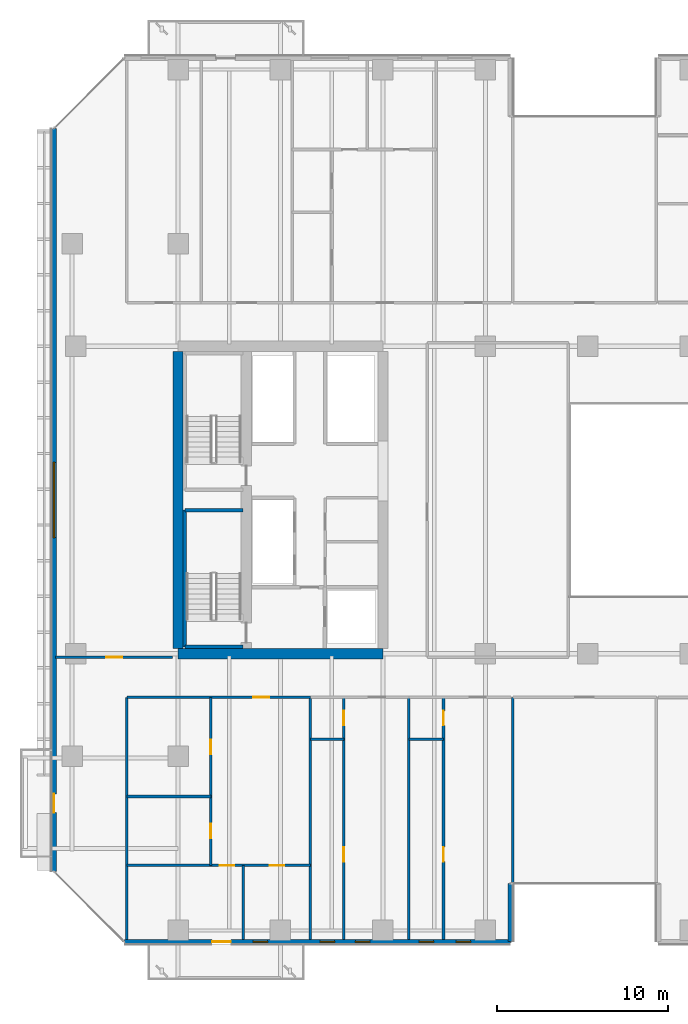
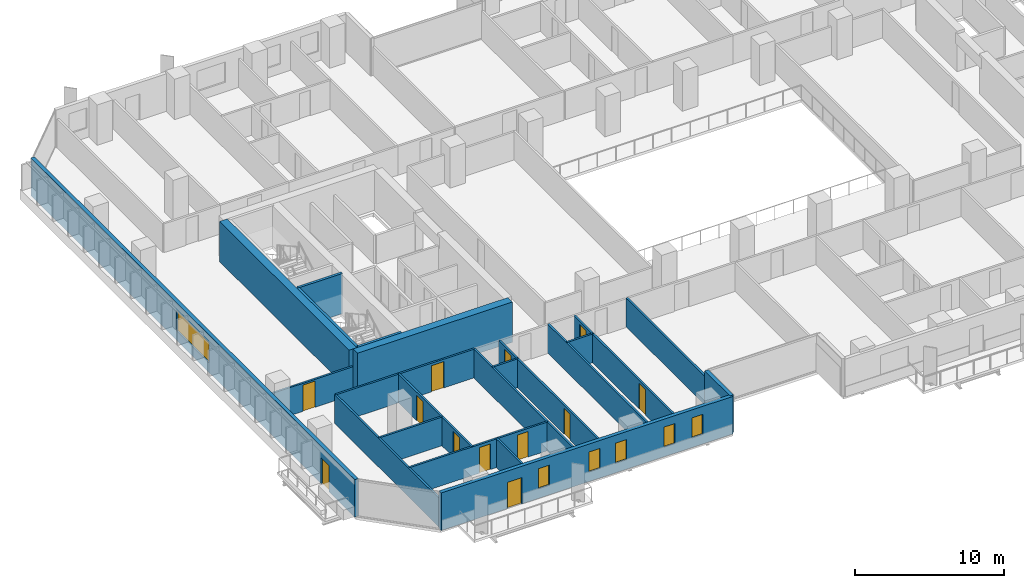
# One storey, part 17 of 33: 22 walls, 12 doors, 6 windows, 18 openings.
"""IFC4 building model written with IfcOpenShell, lengths in metres."""

import ifcopenshell
import ifcopenshell.guid

model = None  # the IFC model being written
_history = None  # IfcOwnerHistory: only IFC2X3 demands one
_inside = {}  # id of a spatial element -> (the spatial element, [elements in it])
_under = {}  # id of a project, library or spatial element -> (it, [spatial elements below it])
_declared = {}  # id of a project -> (the project, [libraries it declares])
_typed = {}  # id of a type object -> (the type object, [elements of that type])
_made_of = {}  # id of a material, layer set ... -> (it, [elements and type objects made of it])


def new_model(schema):
    """Start an empty IFC model of exactly this schema.

    Asked for "IFC4X3", IfcOpenShell would pick the latest addendum, in which some entities
    have other attributes; the version numbers below select the first issue.
    IFC2X3 requires an IfcOwnerHistory on every rooted entity: one is made here for all.
    """
    global model, _history
    if schema == "IFC4X3":
        model = ifcopenshell.file(schema_version=(4, 3, 0, 0))
    else:
        model = ifcopenshell.file(schema=schema)
    _inside.clear()
    _under.clear()
    _declared.clear()
    _typed.clear()
    _made_of.clear()
    _history = None
    if model.schema == "IFC2X3":
        org = make("IfcOrganization", Name="unknown")
        user = make(
            "IfcPersonAndOrganization",
            ThePerson=make("IfcPerson", FamilyName="unknown"),
            TheOrganization=org,
        )
        app = make(
            "IfcApplication",
            ApplicationDeveloper=org,
            Version="unknown",
            ApplicationFullName="unknown",
            ApplicationIdentifier="unknown",
        )
        _history = make(
            "IfcOwnerHistory",
            OwningUser=user,
            OwningApplication=app,
            ChangeAction="ADDED",
            CreationDate=0,
        )
    return model


def make(cls, **values):
    """One entity of the class cls with the attributes given. An attribute that is None is left unset."""
    return model.create_entity(
        cls, **{name: value for name, value in values.items() if value is not None}
    )


def rooted(cls, **values):
    """An entity with a GlobalId (a new one), such as an element, a storey or a relation."""
    return make(cls, GlobalId=ifcopenshell.guid.new(), OwnerHistory=_history, **values)


def si_unit(unit_type, name, prefix=None):
    """IfcSIUnit, for example si_unit("LENGTHUNIT", "METRE", prefix="MILLI")."""
    return make("IfcSIUnit", UnitType=unit_type, Prefix=prefix, Name=name)


def assignment(units):
    """IfcUnitAssignment: the units of a project."""
    return None if units is None else make("IfcUnitAssignment", Units=units)


def point(xyz):
    """IfcCartesianPoint."""
    return None if xyz is None else make("IfcCartesianPoint", Coordinates=xyz)


def direction(xyz):
    """IfcDirection."""
    return None if xyz is None else make("IfcDirection", DirectionRatios=xyz)


def frame(location, z_axis=None, x_axis=None):
    """IfcAxis2Placement3D, a coordinate frame: its origin and axes. An axis left out is left unset."""
    return make(
        "IfcAxis2Placement3D",
        Location=point(location),
        Axis=direction(z_axis),
        RefDirection=direction(x_axis),
    )


def frame_2d(location, x_axis=None):
    """IfcAxis2Placement2D, a coordinate frame in the plane: its origin and x axis."""
    return make(
        "IfcAxis2Placement2D", Location=point(location), RefDirection=direction(x_axis)
    )


def origin():
    """The frame at (0, 0, 0) with its axes left unset."""
    return frame((0.0, 0.0, 0.0))


def place(relative_to, where):
    """IfcLocalPlacement: puts the frame where relative to a parent placement (None: the world)."""
    return make(
        "IfcLocalPlacement", PlacementRelTo=relative_to, RelativePlacement=where
    )


def context(
    kind, dimensions, precision=None, world=None, true_north=None, identifier=None
):
    """IfcGeometricRepresentationContext, for example the 3D "Model" context."""
    return make(
        "IfcGeometricRepresentationContext",
        ContextIdentifier=identifier,
        ContextType=kind,
        CoordinateSpaceDimension=dimensions,
        Precision=precision,
        WorldCoordinateSystem=world,
        TrueNorth=true_north,
    )


def subcontext(parent, identifier, kind, view, scale=None):
    """IfcGeometricRepresentationSubContext, for example "Body" below "Model"."""
    return make(
        "IfcGeometricRepresentationSubContext",
        ContextIdentifier=identifier,
        ContextType=kind,
        ParentContext=parent,
        TargetScale=scale,
        TargetView=view,
    )


def project(units=None, contexts=None):
    """IfcProject with its units and contexts."""
    return rooted(
        "IfcProject",
        Name="project",
        RepresentationContexts=contexts,
        UnitsInContext=assignment(units),
    )


def spatial(cls, under=None, at=None, **own):
    """A site, building, storey or space (cls), placed at a placement, below another one or the project."""
    s = rooted(cls, ObjectPlacement=at, **own)
    if under is not None:
        _under.setdefault(under.id(), (under, []))[1].append(s)
    return s


def profile(cls, at=None, kind="AREA", **sizes):
    """A parametric profile (cls). Its sizes go by their IFC names, for example OverallWidth=200.0."""
    return make(cls, ProfileType=kind, Position=at, **sizes)


def rectangle(**sizes):
    """IfcRectangleProfileDef."""
    return profile("IfcRectangleProfileDef", **sizes)


def extrude(swept, where, along, depth):
    """IfcExtrudedAreaSolid: the profile swept, set in the frame where, extruded along a direction by depth."""
    return make(
        "IfcExtrudedAreaSolid",
        SweptArea=swept,
        Position=where,
        ExtrudedDirection=direction(along),
        Depth=depth,
    )


def shape(context_of_items, identifier, shape_type, items):
    """IfcShapeRepresentation: the items that make up one representation, for example the "Body"."""
    return make(
        "IfcShapeRepresentation",
        ContextOfItems=context_of_items,
        RepresentationIdentifier=identifier,
        RepresentationType=shape_type,
        Items=items,
    )


def material(Name=None, Category=None):
    """IfcMaterial."""
    return make("IfcMaterial", Name=Name, Category=Category)


def layer(
    of_material, thickness, ventilated=None, Name=None, Category=None, Priority=None
):
    """IfcMaterialLayer: one layer of a wall or slab, of a material (None: an air gap)."""
    return make(
        "IfcMaterialLayer",
        Material=of_material,
        LayerThickness=thickness,
        IsVentilated=ventilated,
        Name=Name,
        Category=Category,
        Priority=Priority,
    )


def layer_set(layers, Name=None):
    """IfcMaterialLayerSet."""
    return make("IfcMaterialLayerSet", MaterialLayers=layers, LayerSetName=Name)


def made_of(thing, what):
    """Note that an element or type object is made of a material, layer set ...; save() writes the relation."""
    if what is not None:
        _made_of.setdefault(what.id(), (what, []))[1].append(thing)
    return thing


def type_object(cls, material=None, **own):
    """A type object (cls), such as IfcWallType, which elements share."""
    return made_of(rooted(cls, **own), material)


def element(
    cls,
    number,
    at=None,
    inside=None,
    cuts=None,
    type_object=None,
    material=None,
    context=None,
    identifier="Body",
    shape_type=None,
    held_by="IfcProductDefinitionShape",
    body=None,
    shapes=None,
    **own,
):
    """One element of the class cls, such as IfcWall. Its Tag is "e" and its number.

    at: its placement. inside: the storey or other place that contains it. cuts: it is an
    opening in that element (IfcRelVoidsElement). A single representation is given by context,
    identifier, shape_type and body (its items); several are given by shapes. held_by: the class
    of the entity that holds the representations. save() writes the other relations.
    """
    e = rooted(cls, Tag="e%d" % number, ObjectPlacement=at, **own)
    if body is not None:
        shapes = [shape(context, identifier, shape_type, body)]
    if shapes is not None:
        e.Representation = make(held_by, Representations=shapes)
    if inside is not None:
        _inside.setdefault(inside.id(), (inside, []))[1].append(e)
    if cuts is not None:
        rooted(
            "IfcRelVoidsElement", RelatingBuildingElement=cuts, RelatedOpeningElement=e
        )
    if type_object is not None:
        _typed.setdefault(type_object.id(), (type_object, []))[1].append(e)
    return made_of(e, material)


def fill(opening, filler):
    """IfcRelFillsElement: the door or window that sits in an opening."""
    return rooted(
        "IfcRelFillsElement",
        RelatingOpeningElement=opening,
        RelatedBuildingElement=filler,
    )


def aggregate(whole, parts):
    """IfcRelAggregates: a whole, such as a stair, and the parts it consists of."""
    return rooted("IfcRelAggregates", RelatingObject=whole, RelatedObjects=parts)


def save(model, path):
    """Write the relations noted so far, then the file.

    IfcRelAggregates (storeys below a building ...), IfcRelContainedInSpatialStructure (elements
    in a storey), IfcRelDefinesByType, IfcRelAssociatesMaterial and IfcRelDeclares: one each for
    every whole, place, type object, material and project.
    """
    for whole, parts in _under.values():
        aggregate(whole, parts)
    for where, things in _inside.values():
        rooted(
            "IfcRelContainedInSpatialStructure",
            RelatedElements=things,
            RelatingStructure=where,
        )
    for kind, things in _typed.values():
        rooted("IfcRelDefinesByType", RelatedObjects=things, RelatingType=kind)
    for what, things in _made_of.values():
        rooted("IfcRelAssociatesMaterial", RelatedObjects=things, RelatingMaterial=what)
    for by, libraries in _declared.values():
        rooted("IfcRelDeclares", RelatingContext=by, RelatedDefinitions=libraries)
    model.write(path)


model = new_model("IFC4")

# Units and contexts
model_context = context("Model", 3, precision=1e-05, world=origin(), true_north=direction((0.0, 1.0)))
body_context = subcontext(model_context, "Body", "Model", "MODEL_VIEW")
ifc_project = project(units=[si_unit("LENGTHUNIT", "METRE"), si_unit("AREAUNIT", "SQUARE_METRE"), si_unit("VOLUMEUNIT", "CUBIC_METRE"), si_unit("PLANEANGLEUNIT", "RADIAN"), si_unit("MASSUNIT", "GRAM", prefix="KILO")], contexts=[model_context])

# Site, building, storey
site_placement = place(None, origin())
site = spatial("IfcSite", under=ifc_project, at=site_placement, CompositionType="ELEMENT")
building_placement = place(site_placement, origin())
building = spatial("IfcBuilding", under=site, at=building_placement, Name="Tanjung Sevakor Pilgrim Tower", CompositionType="ELEMENT")
storey_placement = place(building_placement, frame((0.0, 0.0, 35.639892578125)))
storey = spatial("IfcBuildingStorey", under=building, at=storey_placement, Name="L09", CompositionType="ELEMENT", Elevation=35.639892578125)

# Walls
ifc_material_1 = material(Name="Concrete C60/75", Category="concrete")
ifc_layer_1 = layer(ifc_material_1, 0.60009765625)
ifc_layer_set_1 = layer_set([ifc_layer_1], Name="WALL-CW-600")
wall_type_1 = type_object("IfcWallType", Name="WALL-CW-600", PredefinedType="SHEAR", material=ifc_layer_set_1)
wall_1_placement = place(storey_placement, frame((24.0, 24.60009765625, 0.0), z_axis=(0.0, 0.0, 1.0), x_axis=(1.0, 0.0, 0.0)))
element("IfcWall", 1, at=wall_1_placement, inside=storey, type_object=wall_type_1, Name="L09 W Core South Shear Wall", PredefinedType="SHEAR", context=body_context, shape_type="SweptSolid", body=[
    extrude(rectangle(XDim=12.0, YDim=0.60009765625, at=frame_2d((6.0, 0.0))), origin(), (0.0, 0.0, 1.0), 3.300048828125),
])
wall_2_placement = place(storey_placement, frame((24.0, 24.89990234375, 0.0), z_axis=(0.0, 0.0, 1.0), x_axis=(0.0, 1.0, 0.0)))
element("IfcWall", 2, at=wall_2_placement, inside=storey, type_object=wall_type_1, Name="L09 W Core Outer Shear Wall", PredefinedType="SHEAR", context=body_context, shape_type="SweptSolid", body=[
    extrude(rectangle(XDim=17.400146484375, YDim=0.60009765625, at=frame_2d((8.7001953125, 0.0))), origin(), (0.0, 0.0, 1.0), 3.300048828125),
])

# Wall, opening, door
ifc_material_2 = material(Name="Concrete C40/50", Category="concrete")
ifc_layer_2 = layer(ifc_material_2, 0.14990234375)
ifc_layer_set_2 = layer_set([ifc_layer_2], Name="WT-COMP-150")
wall_type_2 = type_object("IfcWallType", Name="WT-COMP-150", PredefinedType="SOLIDWALL", material=ifc_layer_set_2)
wall_3_placement = place(storey_placement, frame((16.840087890625, 24.39990234375, 0.0), z_axis=(0.0, 0.0, 1.0), x_axis=(1.0, 0.0, 0.0)))
wall_3 = element("IfcWall", 3, at=wall_3_placement, inside=storey, type_object=wall_type_2, Name="L09 Partition IW-L09-031", PredefinedType="SOLIDWALL", context=body_context, shape_type="SweptSolid", body=[
    extrude(rectangle(XDim=6.83984375, YDim=0.14990234375, at=frame_2d((3.419921875, 0.0))), origin(), (0.0, 0.0, 1.0), 2.295166015625),
])
opening_1_placement = place(wall_3_placement, frame((2.945068359375, 0.0, 0.0)))
opening_1 = element("IfcOpeningElement", 4, at=opening_1_placement, cuts=wall_3, Name="Opening ID-FD2", PredefinedType="OPENING", context=body_context, shape_type="SweptSolid", body=[
    extrude(rectangle(XDim=0.949951171875, YDim=2.14990234375, at=frame_2d((0.47509765625, 1.074951171875))), frame((0.0, 0.0849609375, 0.0), z_axis=(0.0, -1.0, 0.0), x_axis=(1.0, 0.0, 0.0)), (0.0, 0.0, 1.0), 0.169921875),
])
ifc_material_3 = material(Name="Fire-Rated Timber", Category="wood")
door_type_1 = type_object("IfcDoorType", Name="DT-FIRE-950", OperationType="NOTDEFINED", PredefinedType="DOOR", material=ifc_material_3)
door_1_placement = place(opening_1_placement, origin())
door_1 = element("IfcDoor", 5, at=door_1_placement, inside=storey, type_object=door_type_1, Name="Study Room Entrance", OperationType="SINGLE_SWING_RIGHT", OverallHeight=2.14990234375, OverallWidth=0.949951171875, PredefinedType="DOOR", context=body_context, shape_type="SweptSolid", body=[
    extrude(rectangle(XDim=0.949951171875, YDim=2.14990234375, at=frame_2d((0.47509765625, 1.074951171875))), frame((0.0, 0.02490234375, 0.0), z_axis=(0.0, -1.0, 0.0), x_axis=(1.0, 0.0, 0.0)), (0.0, 0.0, 1.0), 0.050048828125),
])
fill(opening_1, door_1)

# Walls
for number, where, z_axis, x_axis, name in (
    (6, (43.60009765625, 7.8798828125, 0.0), (0.0, 0.0, 1.0), (0.0, 1.0, 0.0), "L09 Partition IW-L09-039"),
    (7, (21.0, 7.8798828125, 0.0), (0.0, 0.0, 1.0), (0.0, 1.0, 0.0), "L09 Partition IW-L09-044"),
    (8, (31.751220703125, 7.8798828125, 0.0), (0.0, 0.0, 1.0), (0.0, 1.0, 0.0), "L09 Partition IW-L09-045"),
):
    element("IfcWall", number, at=place(storey_placement, frame(where, z_axis=z_axis, x_axis=x_axis)), inside=storey, type_object=wall_type_2, Name=name, PredefinedType="SOLIDWALL", context=body_context, shape_type="SweptSolid", body=[
        extrude(rectangle(XDim=14.170166015625, YDim=0.14990234375, at=frame_2d((7.0849609375, 0.0))), origin(), (0.0, 0.0, 1.0), 2.35009765625),
    ])

# Wall, opening, door
wall_4_placement = place(storey_placement, frame((21.0, 22.050048828125, 0.0), z_axis=(0.0, 0.0, 1.0), x_axis=(1.0, 0.0, 0.0)))
wall_4 = element("IfcWall", 9, at=wall_4_placement, inside=storey, type_object=wall_type_2, Name="L09 Partition IW-L09-050", PredefinedType="SOLIDWALL", context=body_context, shape_type="SweptSolid", body=[
    extrude(rectangle(XDim=10.751220703125, YDim=0.14990234375, at=frame_2d((5.37548828125, 0.0))), origin(), (0.0, 0.0, 1.0), 2.35009765625),
])
opening_2_placement = place(wall_4_placement, frame((7.400634765625, 0.0, 0.0)))
opening_2 = element("IfcOpeningElement", 10, at=opening_2_placement, cuts=wall_4, Name="Opening ID-FD2", PredefinedType="OPENING", context=body_context, shape_type="SweptSolid", body=[
    extrude(rectangle(XDim=0.949951171875, YDim=2.14990234375, at=frame_2d((0.47509765625, 1.074951171875))), frame((0.0, 0.0849609375, 0.0), z_axis=(0.0, -1.0, 0.0), x_axis=(1.0, 0.0, 0.0)), (0.0, 0.0, 1.0), 0.169921875),
])
door_2_placement = place(opening_2_placement, origin())
door_2 = element("IfcDoor", 11, at=door_2_placement, inside=storey, type_object=door_type_1, Name="Suite Entrance", OperationType="SINGLE_SWING_LEFT", OverallHeight=2.14990234375, OverallWidth=0.949951171875, PredefinedType="DOOR", context=body_context, shape_type="SweptSolid", body=[
    extrude(rectangle(XDim=0.949951171875, YDim=2.14990234375, at=frame_2d((0.47509765625, 1.074951171875))), frame((0.0, 0.02490234375, 0.0), z_axis=(0.0, -1.0, 0.0), x_axis=(1.0, 0.0, 0.0)), (0.0, 0.0, 1.0), 0.050048828125),
])
fill(opening_2, door_2)

# Wall
wall_5_placement = place(storey_placement, frame((37.5126953125, 7.8798828125, 0.0), z_axis=(0.0, 0.0, 1.0), x_axis=(0.0, 1.0, 0.0)))
element("IfcWall", 12, at=wall_5_placement, inside=storey, type_object=wall_type_2, Name="L09 Partition IW-L09-051", PredefinedType="SOLIDWALL", context=body_context, shape_type="SweptSolid", body=[
    extrude(rectangle(XDim=14.170166015625, YDim=0.14990234375, at=frame_2d((7.0849609375, 0.0))), origin(), (0.0, 0.0, 1.0), 2.35009765625),
])

# Wall, openings, door, windows
ifc_material_4 = material(Name="Precast concrete C45/55", Category="concrete")
ifc_layer_3 = layer(ifc_material_4, 0.280029296875)
ifc_layer_set_3 = layer_set([ifc_layer_3], Name="WT-EW-STN2")
wall_type_3 = type_object("IfcWallType", Name="WT-EW-STN2", PredefinedType="SOLIDWALL", material=ifc_layer_set_3)
wall_6_placement = place(storey_placement, frame((20.85791015625, 7.739990234375, 0.0), z_axis=(0.0, 0.0, 1.0), x_axis=(1.0, 0.0, 0.0)))
wall_6 = element("IfcWall", 13, at=wall_6_placement, inside=storey, type_object=wall_type_3, Name="L09 MAIN Exterior Wall 1", PredefinedType="SOLIDWALL", context=body_context, shape_type="SweptSolid", body=[
    extrude(rectangle(XDim=22.60205078125, YDim=0.280029296875, at=frame_2d((11.301025390625, 0.0))), origin(), (0.0, 0.0, 1.0), 3.080078125),
])
opening_3_placement = place(wall_6_placement, frame((5.14208984375, 0.0, 0.0)))
opening_3 = element("IfcOpeningElement", 14, at=opening_3_placement, cuts=wall_6, Name="Opening ED-BAL-1100", PredefinedType="OPENING", context=body_context, shape_type="SweptSolid", body=[
    extrude(rectangle(XDim=1.10009765625, YDim=2.14990234375, at=frame_2d((0.550048828125, 1.074951171875))), frame((0.0, 0.14990234375, 0.0), z_axis=(0.0, -1.0, 0.0), x_axis=(1.0, 0.0, 0.0)), (0.0, 0.0, 1.0), 0.300048828125),
])
opening_4_placement = place(wall_6_placement, frame((7.53271484375, 0.0, 0.780029296875)))
opening_4 = element("IfcOpeningElement", 15, at=opening_4_placement, cuts=wall_6, Name="Opening WN-SLM", PredefinedType="OPENING", context=body_context, shape_type="SweptSolid", body=[
    extrude(rectangle(XDim=0.85009765625, YDim=1.64990234375, at=frame_2d((0.425048828125, 0.824951171875))), frame((0.0, 0.14990234375, 0.0), z_axis=(0.0, -1.0, 0.0), x_axis=(1.0, 0.0, 0.0)), (0.0, 0.0, 1.0), 0.300048828125),
])
opening_5_placement = place(wall_6_placement, frame((11.457763671875, 0.0, 0.780029296875)))
opening_5 = element("IfcOpeningElement", 16, at=opening_5_placement, cuts=wall_6, Name="Opening WN-SLM", PredefinedType="OPENING", context=body_context, shape_type="SweptSolid", body=[
    extrude(rectangle(XDim=0.85009765625, YDim=1.64990234375, at=frame_2d((0.425048828125, 0.824951171875))), frame((0.0, 0.14990234375, 0.0), z_axis=(0.0, -1.0, 0.0), x_axis=(1.0, 0.0, 0.0)), (0.0, 0.0, 1.0), 0.300048828125),
])
opening_6_placement = place(wall_6_placement, frame((13.5185546875, 0.0, 0.780029296875)))
opening_6 = element("IfcOpeningElement", 17, at=opening_6_placement, cuts=wall_6, Name="Opening WN-SLM", PredefinedType="OPENING", context=body_context, shape_type="SweptSolid", body=[
    extrude(rectangle(XDim=0.85009765625, YDim=1.64990234375, at=frame_2d((0.425048828125, 0.824951171875))), frame((0.0, 0.14990234375, 0.0), z_axis=(0.0, -1.0, 0.0), x_axis=(1.0, 0.0, 0.0)), (0.0, 0.0, 1.0), 0.300048828125),
])
opening_7_placement = place(wall_6_placement, frame((17.254150390625, 0.0, 0.780029296875)))
opening_7 = element("IfcOpeningElement", 18, at=opening_7_placement, cuts=wall_6, Name="Opening WN-SLM", PredefinedType="OPENING", context=body_context, shape_type="SweptSolid", body=[
    extrude(rectangle(XDim=0.85009765625, YDim=1.64990234375, at=frame_2d((0.425048828125, 0.824951171875))), frame((0.0, 0.14990234375, 0.0), z_axis=(0.0, -1.0, 0.0), x_axis=(1.0, 0.0, 0.0)), (0.0, 0.0, 1.0), 0.300048828125),
])
opening_8_placement = place(wall_6_placement, frame((19.417724609375, 0.0, 0.780029296875)))
opening_8 = element("IfcOpeningElement", 19, at=opening_8_placement, cuts=wall_6, Name="Opening WN-SLM", PredefinedType="OPENING", context=body_context, shape_type="SweptSolid", body=[
    extrude(rectangle(XDim=0.85009765625, YDim=1.64990234375, at=frame_2d((0.425048828125, 0.824951171875))), frame((0.0, 0.14990234375, 0.0), z_axis=(0.0, -1.0, 0.0), x_axis=(1.0, 0.0, 0.0)), (0.0, 0.0, 1.0), 0.300048828125),
])
ifc_material_5 = material(Name="Anodised Aluminium and Laminated Glass", Category="aluminium")
door_type_2 = type_object("IfcDoorType", Name="DTYP-ED-BAL-1100", OperationType="NOTDEFINED", PredefinedType="DOOR", material=ifc_material_5)
door_3_placement = place(opening_3_placement, frame((1.10009765625, 0.0, 0.0), z_axis=(0.0, 0.0, 1.0), x_axis=(-1.0, 0.0, 0.0)))
door_3 = element("IfcDoor", 20, at=door_3_placement, inside=storey, type_object=door_type_2, Name="L09 Balcony Door MAIN-S1", OperationType="SINGLE_SWING_RIGHT", OverallHeight=2.14990234375, OverallWidth=1.10009765625, PredefinedType="DOOR", context=body_context, shape_type="SweptSolid", body=[
    extrude(rectangle(XDim=1.10009765625, YDim=2.14990234375, at=frame_2d((0.550048828125, 1.074951171875))), frame((0.0, 0.02490234375, 0.0), z_axis=(0.0, -1.0, 0.0), x_axis=(1.0, 0.0, 0.0)), (0.0, 0.0, 1.0), 0.050048828125),
])
fill(opening_3, door_3)
ifc_material_6 = material(Name="Thermally Broken Aluminium and Low-E Glass", Category="aluminium")
window_type_1 = type_object("IfcWindowType", Name="WTYP-WN-SLM", PartitioningType="SINGLE_PANEL", PredefinedType="WINDOW", material=ifc_material_6)
window_1_placement = place(opening_4_placement, origin())
window_1 = element("IfcWindow", 21, at=window_1_placement, inside=storey, type_object=window_type_1, Name="L09 Facade Window 01", OverallHeight=1.64990234375, OverallWidth=0.85009765625, PartitioningType="SINGLE_PANEL", PredefinedType="WINDOW", context=body_context, shape_type="SweptSolid", body=[
    extrude(rectangle(XDim=0.85009765625, YDim=1.64990234375, at=frame_2d((0.425048828125, 0.824951171875))), frame((0.0, 0.030029296875, 0.0), z_axis=(0.0, -1.0, 0.0), x_axis=(1.0, 0.0, 0.0)), (0.0, 0.0, 1.0), 0.06005859375),
])
fill(opening_4, window_1)
window_2_placement = place(opening_5_placement, origin())
window_2 = element("IfcWindow", 22, at=window_2_placement, inside=storey, type_object=window_type_1, Name="L09 Facade Window 02", OverallHeight=1.64990234375, OverallWidth=0.85009765625, PartitioningType="SINGLE_PANEL", PredefinedType="WINDOW", context=body_context, shape_type="SweptSolid", body=[
    extrude(rectangle(XDim=0.85009765625, YDim=1.64990234375, at=frame_2d((0.425048828125, 0.824951171875))), frame((0.0, 0.030029296875, 0.0), z_axis=(0.0, -1.0, 0.0), x_axis=(1.0, 0.0, 0.0)), (0.0, 0.0, 1.0), 0.06005859375),
])
fill(opening_5, window_2)
window_3_placement = place(opening_6_placement, origin())
window_3 = element("IfcWindow", 23, at=window_3_placement, inside=storey, type_object=window_type_1, Name="L09 Facade Window 03", OverallHeight=1.64990234375, OverallWidth=0.85009765625, PartitioningType="SINGLE_PANEL", PredefinedType="WINDOW", context=body_context, shape_type="SweptSolid", body=[
    extrude(rectangle(XDim=0.85009765625, YDim=1.64990234375, at=frame_2d((0.425048828125, 0.824951171875))), frame((0.0, 0.030029296875, 0.0), z_axis=(0.0, -1.0, 0.0), x_axis=(1.0, 0.0, 0.0)), (0.0, 0.0, 1.0), 0.06005859375),
])
fill(opening_6, window_3)
window_4_placement = place(opening_7_placement, origin())
window_4 = element("IfcWindow", 24, at=window_4_placement, inside=storey, type_object=window_type_1, Name="L09 Facade Window 04", OverallHeight=1.64990234375, OverallWidth=0.85009765625, PartitioningType="SINGLE_PANEL", PredefinedType="WINDOW", context=body_context, shape_type="SweptSolid", body=[
    extrude(rectangle(XDim=0.85009765625, YDim=1.64990234375, at=frame_2d((0.425048828125, 0.824951171875))), frame((0.0, 0.030029296875, 0.0), z_axis=(0.0, -1.0, 0.0), x_axis=(1.0, 0.0, 0.0)), (0.0, 0.0, 1.0), 0.06005859375),
])
fill(opening_7, window_4)
window_5_placement = place(opening_8_placement, origin())
window_5 = element("IfcWindow", 25, at=window_5_placement, inside=storey, type_object=window_type_1, Name="L09 Facade Window 05", OverallHeight=1.64990234375, OverallWidth=0.85009765625, PartitioningType="SINGLE_PANEL", PredefinedType="WINDOW", context=body_context, shape_type="SweptSolid", body=[
    extrude(rectangle(XDim=0.85009765625, YDim=1.64990234375, at=frame_2d((0.425048828125, 0.824951171875))), frame((0.0, 0.030029296875, 0.0), z_axis=(0.0, -1.0, 0.0), x_axis=(1.0, 0.0, 0.0)), (0.0, 0.0, 1.0), 0.06005859375),
])
fill(opening_8, window_5)

# Wall
wall_7_placement = place(storey_placement, frame((43.4599609375, 7.739990234375, 0.0), z_axis=(0.0, 0.0, 1.0), x_axis=(0.0, 1.0, 0.0)))
element("IfcWall", 26, at=wall_7_placement, inside=storey, type_object=wall_type_3, Name="L09 MAIN Exterior Wall 2", PredefinedType="SOLIDWALL", context=body_context, shape_type="SweptSolid", body=[
    extrude(rectangle(XDim=3.39990234375, YDim=0.280029296875, at=frame_2d((1.699951171875, 0.0))), origin(), (0.0, 0.0, 1.0), 3.080078125),
])

# Wall, openings, door, window
wall_8_placement = place(storey_placement, frame((16.739990234375, 55.342041015625, 0.0), z_axis=(0.0, 0.0, 1.0), x_axis=(0.0, -1.0, 0.0)))
wall_8 = element("IfcWall", 27, at=wall_8_placement, inside=storey, type_object=wall_type_3, Name="L09 MAIN Exterior Wall 15", PredefinedType="SOLIDWALL", context=body_context, shape_type="SweptSolid", body=[
    extrude(rectangle(XDim=43.484130859375, YDim=0.280029296875, at=frame_2d((21.7421875, 0.0))), origin(), (0.0, 0.0, 1.0), 3.080078125),
])
opening_9_placement = place(wall_8_placement, frame((38.94189453125, 0.0, 0.0)))
opening_9 = element("IfcOpeningElement", 28, at=opening_9_placement, cuts=wall_8, Name="Opening ED-BAL-1100", PredefinedType="OPENING", context=body_context, shape_type="SweptSolid", body=[
    extrude(rectangle(XDim=1.10009765625, YDim=2.14990234375, at=frame_2d((0.550048828125, 1.074951171875))), frame((0.0, 0.14990234375, 0.0), z_axis=(0.0, -1.0, 0.0), x_axis=(1.0, 0.0, 0.0)), (0.0, 0.0, 1.0), 0.300048828125),
])
opening_10_placement = place(wall_8_placement, frame((19.5419921875, 0.0, 0.780029296875)))
opening_10 = element("IfcOpeningElement", 29, at=opening_10_placement, cuts=wall_8, Name="Opening WN-ENDW-1660", PredefinedType="OPENING", context=body_context, shape_type="SweptSolid", body=[
    extrude(rectangle(XDim=4.39990234375, YDim=1.659912109375, at=frame_2d((2.199951171875, 0.830078125))), frame((0.0, 0.14990234375, 0.0), z_axis=(0.0, -1.0, 0.0), x_axis=(1.0, 0.0, 0.0)), (0.0, 0.0, 1.0), 0.300048828125),
])
door_4_placement = place(opening_9_placement, frame((1.10009765625, 0.0, 0.0), z_axis=(0.0, 0.0, 1.0), x_axis=(-1.0, 0.0, 0.0)))
door_4 = element("IfcDoor", 30, at=door_4_placement, inside=storey, type_object=door_type_2, Name="L09 West Loggia Door MAIN-W1", OperationType="SINGLE_SWING_LEFT", OverallHeight=2.14990234375, OverallWidth=1.10009765625, PredefinedType="DOOR", context=body_context, shape_type="SweptSolid", body=[
    extrude(rectangle(XDim=1.10009765625, YDim=2.14990234375, at=frame_2d((0.550048828125, 1.074951171875))), frame((0.0, 0.02490234375, 0.0), z_axis=(0.0, -1.0, 0.0), x_axis=(1.0, 0.0, 0.0)), (0.0, 0.0, 1.0), 0.050048828125),
])
fill(opening_9, door_4)
ifc_material_7 = material(Name="Thermally Broken Aluminium and Low-E Glass", Category="aluminium")
window_type_2 = type_object("IfcWindowType", Name="WTYP-WN-ENDW-1660", PartitioningType="DOUBLE_PANEL_VERTICAL", PredefinedType="WINDOW", material=ifc_material_7)
window_6_placement = place(opening_10_placement, origin())
window_6 = element("IfcWindow", 31, at=window_6_placement, inside=storey, type_object=window_type_2, Name="L09 Facade Window 01", OverallHeight=1.659912109375, OverallWidth=4.39990234375, PartitioningType="SINGLE_PANEL", PredefinedType="WINDOW", context=body_context, shape_type="SweptSolid", body=[
    extrude(rectangle(XDim=4.39990234375, YDim=1.659912109375, at=frame_2d((2.199951171875, 0.830078125))), frame((0.0, 0.030029296875, 0.0), z_axis=(0.0, -1.0, 0.0), x_axis=(1.0, 0.0, 0.0)), (0.0, 0.0, 1.0), 0.06005859375),
])
fill(opening_10, window_6)

# Walls
ifc_material_8 = material(Name="Concrete C40/50", Category="concrete")
ifc_layer_4 = layer(ifc_material_8, 0.199951171875)
ifc_layer_set_4 = layer_set([ifc_layer_4], Name="WT-FIRE-200")
wall_type_4 = type_object("IfcWallType", Name="WT-FIRE-200", PredefinedType="SOLIDWALL", material=ifc_layer_set_4)
for number, where, z_axis, x_axis, name in (
    (32, (24.39990234375, 25.0, 0.0), (0.0, 0.0, 1.0), (1.0, 0.0, 0.0), "L09 TS-W1 Shaft Wall 1"),
    (33, (27.800048828125, 33.0, 0.0), (0.0, 0.0, 1.0), (-1.0, 0.0, 0.0), "L09 TS-W1 Shaft Wall 2"),
):
    element("IfcWall", number, at=place(storey_placement, frame(where, z_axis=z_axis, x_axis=x_axis)), inside=storey, type_object=wall_type_4, Name=name, PredefinedType="SOLIDWALL", context=body_context, shape_type="SweptSolid", body=[
        extrude(rectangle(XDim=3.400146484375, YDim=0.199951171875, at=frame_2d((1.7001953125, 0.0))), origin(), (0.0, 0.0, 1.0), 3.300048828125),
    ])
wall_9_placement = place(storey_placement, frame((24.39990234375, 33.0, 0.0), z_axis=(0.0, 0.0, 1.0), x_axis=(0.0, -1.0, 0.0)))
element("IfcWall", 34, at=wall_9_placement, inside=storey, type_object=wall_type_4, Name="L09 TS-W1 Shaft Wall 3", PredefinedType="SOLIDWALL", context=body_context, shape_type="SweptSolid", body=[
    extrude(rectangle(XDim=8.0, YDim=0.199951171875, at=frame_2d((4.0, 0.0))), origin(), (0.0, 0.0, 1.0), 3.300048828125),
])
ifc_material_9 = material(Name="Gypsum Board Partition", Category="gypsum board")
ifc_layer_5 = layer(ifc_material_9, 0.14990234375)
ifc_layer_set_5 = layer_set([ifc_layer_5], Name="WT-PART-150")
wall_type_5 = type_object("IfcWallType", Name="WT-PART-150", PredefinedType="PARTITIONING", material=ifc_layer_set_5)
wall_10_placement = place(storey_placement, frame((21.0, 16.24169921875, 0.0), z_axis=(0.0, 0.0, 1.0), x_axis=(1.0, 0.0, 0.0)))
element("IfcWall", 35, at=wall_10_placement, inside=storey, type_object=wall_type_5, Name="L09 Partition IW-L09-046", PredefinedType="PARTITIONING", context=body_context, shape_type="SweptSolid", body=[
    extrude(rectangle(XDim=4.919921875, YDim=0.14990234375, at=frame_2d((2.4599609375, 0.0))), origin(), (0.0, 0.0, 1.0), 2.35009765625),
])

# Wall, openings, doors
wall_11_placement = place(storey_placement, frame((25.919921875, 12.20556640625, 0.0), z_axis=(0.0, 0.0, 1.0), x_axis=(0.0, 1.0, 0.0)))
wall_11 = element("IfcWall", 36, at=wall_11_placement, inside=storey, type_object=wall_type_5, Name="L09 Partition IW-L09-047", PredefinedType="PARTITIONING", context=body_context, shape_type="SweptSolid", body=[
    extrude(rectangle(XDim=9.844482421875, YDim=0.14990234375, at=frame_2d((4.92236328125, 0.0))), origin(), (0.0, 0.0, 1.0), 2.35009765625),
])
opening_11_placement = place(wall_11_placement, frame((1.593017578125, 0.0, 0.0)))
opening_11 = element("IfcOpeningElement", 37, at=opening_11_placement, cuts=wall_11, Name="Opening ID-WC1", PredefinedType="OPENING", context=body_context, shape_type="SweptSolid", body=[
    extrude(rectangle(XDim=0.85009765625, YDim=2.10009765625, at=frame_2d((0.425048828125, 1.050048828125))), frame((0.0, 0.0849609375, 0.0), z_axis=(0.0, -1.0, 0.0), x_axis=(1.0, 0.0, 0.0)), (0.0, 0.0, 1.0), 0.169921875),
])
opening_12_placement = place(wall_11_placement, frame((6.515380859375, 0.0, 0.0)))
opening_12 = element("IfcOpeningElement", 38, at=opening_12_placement, cuts=wall_11, Name="Opening ID-WC1", PredefinedType="OPENING", context=body_context, shape_type="SweptSolid", body=[
    extrude(rectangle(XDim=0.85009765625, YDim=2.10009765625, at=frame_2d((0.425048828125, 1.050048828125))), frame((0.0, 0.0849609375, 0.0), z_axis=(0.0, -1.0, 0.0), x_axis=(1.0, 0.0, 0.0)), (0.0, 0.0, 1.0), 0.169921875),
])
ifc_material_10 = material(Name="Moisture-Resistant Timber", Category="wood")
door_type_3 = type_object("IfcDoorType", Name="DT-INT-850", OperationType="NOTDEFINED", PredefinedType="DOOR", material=ifc_material_10)
door_5_placement = place(opening_11_placement, origin())
door_5 = element("IfcDoor", 39, at=door_5_placement, inside=storey, type_object=door_type_3, Name="Suite Bathroom Door", OperationType="SINGLE_SWING_LEFT", OverallHeight=2.10009765625, OverallWidth=0.85009765625, PredefinedType="DOOR", context=body_context, shape_type="SweptSolid", body=[
    extrude(rectangle(XDim=0.85009765625, YDim=2.10009765625, at=frame_2d((0.425048828125, 1.050048828125))), frame((0.0, 0.02490234375, 0.0), z_axis=(0.0, -1.0, 0.0), x_axis=(1.0, 0.0, 0.0)), (0.0, 0.0, 1.0), 0.050048828125),
])
fill(opening_11, door_5)
door_6_placement = place(opening_12_placement, origin())
door_6 = element("IfcDoor", 40, at=door_6_placement, inside=storey, type_object=door_type_3, Name="Suite Kitchenette Door", OperationType="SINGLE_SWING_RIGHT", OverallHeight=2.10009765625, OverallWidth=0.85009765625, PredefinedType="DOOR", context=body_context, shape_type="SweptSolid", body=[
    extrude(rectangle(XDim=0.85009765625, YDim=2.10009765625, at=frame_2d((0.425048828125, 1.050048828125))), frame((0.0, 0.02490234375, 0.0), z_axis=(0.0, -1.0, 0.0), x_axis=(1.0, 0.0, 0.0)), (0.0, 0.0, 1.0), 0.050048828125),
])
fill(opening_12, door_6)

# Wall
wall_12_placement = place(storey_placement, frame((27.820068359375, 7.8798828125, 0.0), z_axis=(0.0, 0.0, 1.0), x_axis=(0.0, 1.0, 0.0)))
element("IfcWall", 41, at=wall_12_placement, inside=storey, type_object=wall_type_5, Name="L09 Partition IW-L09-048", PredefinedType="PARTITIONING", context=body_context, shape_type="SweptSolid", body=[
    extrude(rectangle(XDim=4.32568359375, YDim=0.14990234375, at=frame_2d((2.162841796875, 0.0))), origin(), (0.0, 0.0, 1.0), 2.35009765625),
])

# Wall, openings, doors
wall_13_placement = place(storey_placement, frame((21.0, 12.20556640625, 0.0), z_axis=(0.0, 0.0, 1.0), x_axis=(1.0, 0.0, 0.0)))
wall_13 = element("IfcWall", 42, at=wall_13_placement, inside=storey, type_object=wall_type_5, Name="L09 Partition IW-L09-049", PredefinedType="PARTITIONING", context=body_context, shape_type="SweptSolid", body=[
    extrude(rectangle(XDim=10.751220703125, YDim=0.14990234375, at=frame_2d((5.37548828125, 0.0))), origin(), (0.0, 0.0, 1.0), 2.35009765625),
])
opening_13_placement = place(wall_13_placement, frame((5.445068359375, 0.0, 0.0)))
opening_13 = element("IfcOpeningElement", 43, at=opening_13_placement, cuts=wall_13, Name="Opening ID-WC1", PredefinedType="OPENING", context=body_context, shape_type="SweptSolid", body=[
    extrude(rectangle(XDim=0.85009765625, YDim=2.10009765625, at=frame_2d((0.425048828125, 1.050048828125))), frame((0.0, 0.0849609375, 0.0), z_axis=(0.0, -1.0, 0.0), x_axis=(1.0, 0.0, 0.0)), (0.0, 0.0, 1.0), 0.169921875),
])
opening_14_placement = place(wall_13_placement, frame((8.360595703125, 0.0, 0.0)))
opening_14 = element("IfcOpeningElement", 44, at=opening_14_placement, cuts=wall_13, Name="Opening ID-WC1", PredefinedType="OPENING", context=body_context, shape_type="SweptSolid", body=[
    extrude(rectangle(XDim=0.85009765625, YDim=2.10009765625, at=frame_2d((0.425048828125, 1.050048828125))), frame((0.0, 0.0849609375, 0.0), z_axis=(0.0, -1.0, 0.0), x_axis=(1.0, 0.0, 0.0)), (0.0, 0.0, 1.0), 0.169921875),
])
door_7_placement = place(opening_13_placement, origin())
door_7 = element("IfcDoor", 45, at=door_7_placement, inside=storey, type_object=door_type_3, Name="Suite Bedroom 1 Door", OperationType="SINGLE_SWING_LEFT", OverallHeight=2.10009765625, OverallWidth=0.85009765625, PredefinedType="DOOR", context=body_context, shape_type="SweptSolid", body=[
    extrude(rectangle(XDim=0.85009765625, YDim=2.10009765625, at=frame_2d((0.425048828125, 1.050048828125))), frame((0.0, 0.02490234375, 0.0), z_axis=(0.0, -1.0, 0.0), x_axis=(1.0, 0.0, 0.0)), (0.0, 0.0, 1.0), 0.050048828125),
])
fill(opening_13, door_7)
door_8_placement = place(opening_14_placement, origin())
door_8 = element("IfcDoor", 46, at=door_8_placement, inside=storey, type_object=door_type_3, Name="Suite Bedroom 2 Door", OperationType="SINGLE_SWING_RIGHT", OverallHeight=2.10009765625, OverallWidth=0.85009765625, PredefinedType="DOOR", context=body_context, shape_type="SweptSolid", body=[
    extrude(rectangle(XDim=0.85009765625, YDim=2.10009765625, at=frame_2d((0.425048828125, 1.050048828125))), frame((0.0, 0.02490234375, 0.0), z_axis=(0.0, -1.0, 0.0), x_axis=(1.0, 0.0, 0.0)), (0.0, 0.0, 1.0), 0.050048828125),
])
fill(opening_14, door_8)

# Wall
wall_14_placement = place(storey_placement, frame((31.751220703125, 19.60009765625, 0.0), z_axis=(0.0, 0.0, 1.0), x_axis=(1.0, 0.0, 0.0)))
element("IfcWall", 47, at=wall_14_placement, inside=storey, type_object=wall_type_5, Name="L09 Partition IW-L09-052", PredefinedType="PARTITIONING", context=body_context, shape_type="SweptSolid", body=[
    extrude(rectangle(XDim=1.958984375, YDim=0.14990234375, at=frame_2d((0.9794921875, 0.0))), origin(), (0.0, 0.0, 1.0), 2.35009765625),
])

# Wall, openings, doors
wall_15_placement = place(storey_placement, frame((33.710205078125, 7.8798828125, 0.0), z_axis=(0.0, 0.0, 1.0), x_axis=(0.0, 1.0, 0.0)))
wall_15 = element("IfcWall", 48, at=wall_15_placement, inside=storey, type_object=wall_type_5, Name="L09 Partition IW-L09-053", PredefinedType="PARTITIONING", context=body_context, shape_type="SweptSolid", body=[
    extrude(rectangle(XDim=14.170166015625, YDim=0.14990234375, at=frame_2d((7.0849609375, 0.0))), origin(), (0.0, 0.0, 1.0), 2.35009765625),
])
opening_15_placement = place(wall_15_placement, frame((4.548095703125, 0.0, 0.0)))
opening_15 = element("IfcOpeningElement", 49, at=opening_15_placement, cuts=wall_15, Name="Opening ID-WC1", PredefinedType="OPENING", context=body_context, shape_type="SweptSolid", body=[
    extrude(rectangle(XDim=0.85009765625, YDim=2.10009765625, at=frame_2d((0.425048828125, 1.050048828125))), frame((0.0, 0.0849609375, 0.0), z_axis=(0.0, -1.0, 0.0), x_axis=(1.0, 0.0, 0.0)), (0.0, 0.0, 1.0), 0.169921875),
])
opening_16_placement = place(wall_15_placement, frame((12.52001953125, 0.0, 0.0)))
opening_16 = element("IfcOpeningElement", 50, at=opening_16_placement, cuts=wall_15, Name="Opening ID-WC1", PredefinedType="OPENING", context=body_context, shape_type="SweptSolid", body=[
    extrude(rectangle(XDim=0.85009765625, YDim=2.10009765625, at=frame_2d((0.425048828125, 1.050048828125))), frame((0.0, 0.0849609375, 0.0), z_axis=(0.0, -1.0, 0.0), x_axis=(1.0, 0.0, 0.0)), (0.0, 0.0, 1.0), 0.169921875),
])
door_9_placement = place(opening_15_placement, origin())
door_9 = element("IfcDoor", 51, at=door_9_placement, inside=storey, type_object=door_type_3, Name="Study Nook Door", OperationType="SINGLE_SWING_RIGHT", OverallHeight=2.10009765625, OverallWidth=0.85009765625, PredefinedType="DOOR", context=body_context, shape_type="SweptSolid", body=[
    extrude(rectangle(XDim=0.85009765625, YDim=2.10009765625, at=frame_2d((0.425048828125, 1.050048828125))), frame((0.0, 0.02490234375, 0.0), z_axis=(0.0, -1.0, 0.0), x_axis=(1.0, 0.0, 0.0)), (0.0, 0.0, 1.0), 0.050048828125),
])
fill(opening_15, door_9)
door_10_placement = place(opening_16_placement, origin())
door_10 = element("IfcDoor", 52, at=door_10_placement, inside=storey, type_object=door_type_3, Name="Bathroom Door", OperationType="SINGLE_SWING_LEFT", OverallHeight=2.10009765625, OverallWidth=0.85009765625, PredefinedType="DOOR", context=body_context, shape_type="SweptSolid", body=[
    extrude(rectangle(XDim=0.85009765625, YDim=2.10009765625, at=frame_2d((0.425048828125, 1.050048828125))), frame((0.0, 0.02490234375, 0.0), z_axis=(0.0, -1.0, 0.0), x_axis=(1.0, 0.0, 0.0)), (0.0, 0.0, 1.0), 0.050048828125),
])
fill(opening_16, door_10)

# Wall
wall_16_placement = place(storey_placement, frame((37.5126953125, 19.60009765625, 0.0), z_axis=(0.0, 0.0, 1.0), x_axis=(1.0, 0.0, 0.0)))
element("IfcWall", 53, at=wall_16_placement, inside=storey, type_object=wall_type_5, Name="L09 Partition IW-L09-055", PredefinedType="PARTITIONING", context=body_context, shape_type="SweptSolid", body=[
    extrude(rectangle(XDim=2.02880859375, YDim=0.14990234375, at=frame_2d((1.014404296875, 0.0))), origin(), (0.0, 0.0, 1.0), 2.35009765625),
])

# Wall, openings, doors
wall_17_placement = place(storey_placement, frame((39.54150390625, 7.8798828125, 0.0), z_axis=(0.0, 0.0, 1.0), x_axis=(0.0, 1.0, 0.0)))
wall_17 = element("IfcWall", 54, at=wall_17_placement, inside=storey, type_object=wall_type_5, Name="L09 Partition IW-L09-056", PredefinedType="PARTITIONING", context=body_context, shape_type="SweptSolid", body=[
    extrude(rectangle(XDim=14.170166015625, YDim=0.14990234375, at=frame_2d((7.0849609375, 0.0))), origin(), (0.0, 0.0, 1.0), 2.35009765625),
])
opening_17_placement = place(wall_17_placement, frame((4.548095703125, 0.0, 0.0)))
opening_17 = element("IfcOpeningElement", 55, at=opening_17_placement, cuts=wall_17, Name="Opening ID-WC1", PredefinedType="OPENING", context=body_context, shape_type="SweptSolid", body=[
    extrude(rectangle(XDim=0.85009765625, YDim=2.10009765625, at=frame_2d((0.425048828125, 1.050048828125))), frame((0.0, 0.0849609375, 0.0), z_axis=(0.0, -1.0, 0.0), x_axis=(1.0, 0.0, 0.0)), (0.0, 0.0, 1.0), 0.169921875),
])
opening_18_placement = place(wall_17_placement, frame((12.52001953125, 0.0, 0.0)))
opening_18 = element("IfcOpeningElement", 56, at=opening_18_placement, cuts=wall_17, Name="Opening ID-WC1", PredefinedType="OPENING", context=body_context, shape_type="SweptSolid", body=[
    extrude(rectangle(XDim=0.85009765625, YDim=2.10009765625, at=frame_2d((0.425048828125, 1.050048828125))), frame((0.0, 0.0849609375, 0.0), z_axis=(0.0, -1.0, 0.0), x_axis=(1.0, 0.0, 0.0)), (0.0, 0.0, 1.0), 0.169921875),
])
door_11_placement = place(opening_17_placement, origin())
door_11 = element("IfcDoor", 57, at=door_11_placement, inside=storey, type_object=door_type_3, Name="Study Nook Door", OperationType="SINGLE_SWING_LEFT", OverallHeight=2.10009765625, OverallWidth=0.85009765625, PredefinedType="DOOR", context=body_context, shape_type="SweptSolid", body=[
    extrude(rectangle(XDim=0.85009765625, YDim=2.10009765625, at=frame_2d((0.425048828125, 1.050048828125))), frame((0.0, 0.02490234375, 0.0), z_axis=(0.0, -1.0, 0.0), x_axis=(1.0, 0.0, 0.0)), (0.0, 0.0, 1.0), 0.050048828125),
])
fill(opening_17, door_11)
door_12_placement = place(opening_18_placement, origin())
door_12 = element("IfcDoor", 58, at=door_12_placement, inside=storey, type_object=door_type_3, Name="Bathroom Door", OperationType="SINGLE_SWING_RIGHT", OverallHeight=2.10009765625, OverallWidth=0.85009765625, PredefinedType="DOOR", context=body_context, shape_type="SweptSolid", body=[
    extrude(rectangle(XDim=0.85009765625, YDim=2.10009765625, at=frame_2d((0.425048828125, 1.050048828125))), frame((0.0, 0.02490234375, 0.0), z_axis=(0.0, -1.0, 0.0), x_axis=(1.0, 0.0, 0.0)), (0.0, 0.0, 1.0), 0.050048828125),
])
fill(opening_18, door_12)

save(model, "model.ifc")
